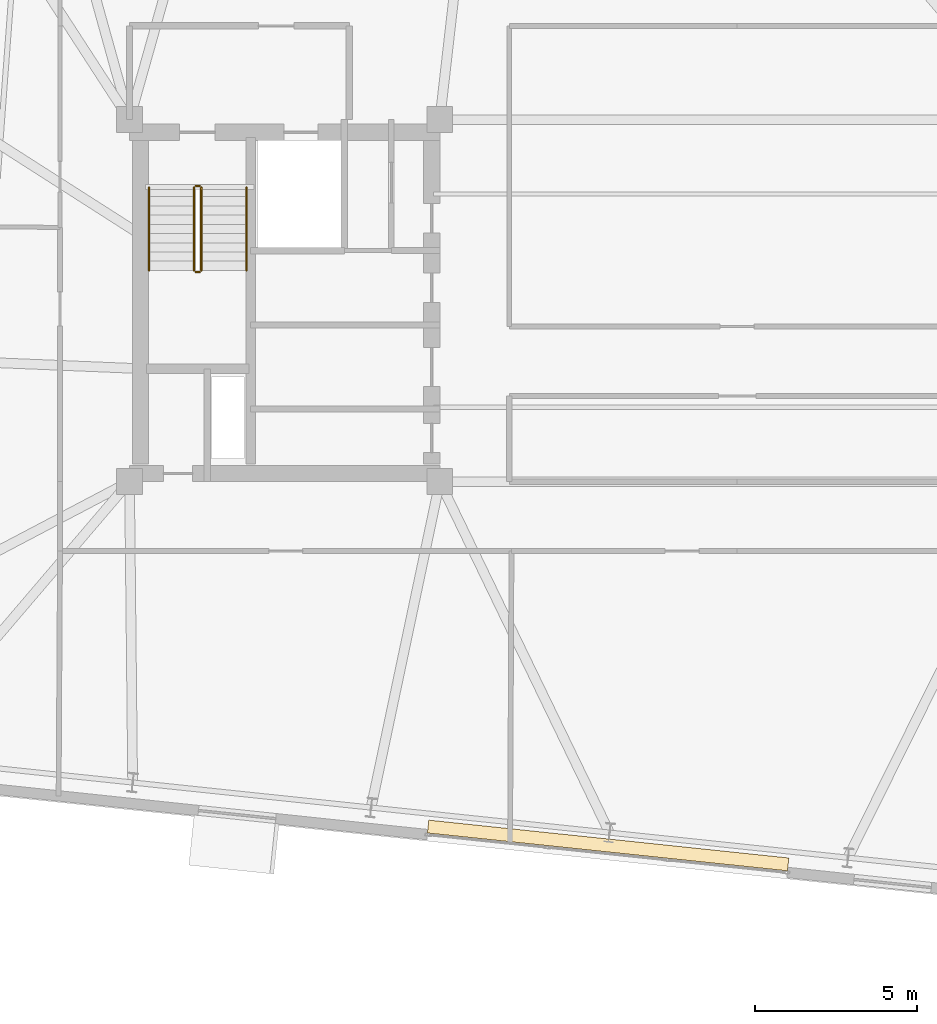
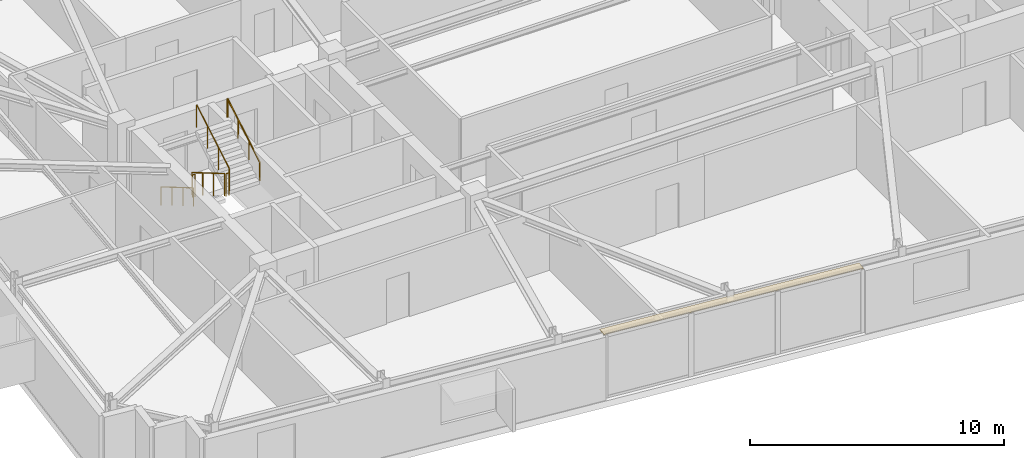
# One storey, part 12 of 13: 6 railings, 1 covering.
"""IFC4 building model written with IfcOpenShell, lengths in metres."""

from ifc_helpers import new_model, si_unit, direction, frame, origin, origin_2d, place, context, subcontext, project, spatial, polyline, circle, outline, extrude, material, layer, layer_set, type_object, element, save


model = new_model("IFC4")

# Units and contexts
model_context = context("Model", 3, precision=1e-05, world=origin(), true_north=direction((0.0, 1.0)))
body_context = subcontext(model_context, "Body", "Model", "MODEL_VIEW")
ifc_project = project(units=[si_unit("LENGTHUNIT", "METRE"), si_unit("AREAUNIT", "SQUARE_METRE"), si_unit("VOLUMEUNIT", "CUBIC_METRE"), si_unit("PLANEANGLEUNIT", "RADIAN"), si_unit("MASSUNIT", "GRAM", prefix="KILO")], contexts=[model_context])

# Site, building, storey
site_placement = place(None, origin())
site = spatial("IfcSite", under=ifc_project, at=site_placement, CompositionType="ELEMENT")
building_placement = place(site_placement, origin())
building = spatial("IfcBuilding", under=site, at=building_placement, Name="Qobustan Lattice House", CompositionType="ELEMENT")
storey_placement = place(building_placement, frame((0.0, 0.0, 196.39990234375)))
storey = spatial("IfcBuildingStorey", under=building, at=storey_placement, Name="L55", CompositionType="ELEMENT", Elevation=196.39990234375)

# Covering
ifc_material_1 = material(Name="Persian walnut timber lining", Category="wood")
ifc_layer = layer(ifc_material_1, 0.0380859375)
ifc_layer_set = layer_set([ifc_layer], Name="Persian walnut timber lining")
covering_type = type_object("IfcCoveringType", Name="COV-WALNUT-IWAN", PredefinedType="CLADDING", material=ifc_layer_set)
covering_placement = place(storey_placement, frame((0.0, 0.0, 3.002197265625)))
element("IfcCovering", 1, at=covering_placement, inside=storey, type_object=covering_type, Name="L55 IWAN-4 Persian walnut soffit cladding", PredefinedType="CLADDING", context=body_context, shape_type="SweptSolid", body=[
    extrude(outline(polyline([(1.5556640625, -17.640380859375), (-9.5830078125, -16.469482421875), (-9.541015625, -16.07177734375), (1.597412109375, -17.24267578125), (1.5556640625, -17.640380859375)])), origin(), (0.0, 0.0, 1.0), 0.037841796875),
])

# Railings
ifc_material_2 = material(Name="Brushed stainless steel handrail", Category="steel")
railing_type_1 = type_object("IfcRailingType", Name="RAL-HR-920", PredefinedType="HANDRAIL", material=ifc_material_2)
railing_1_placement = place(storey_placement, frame((-18.199951171875, 3.5, 0.16748046875)))
element("IfcRailing", 2, at=railing_1_placement, inside=storey, type_object=railing_type_1, Name="L55 ST-W1 stair handrail 1", PredefinedType="HANDRAIL", context=body_context, shape_type="SweptSolid", body=[
    extrude(circle(Radius=0.02392578125, at=origin_2d()), frame((0.0, 0.0, 0.8759765625), z_axis=(0.0, -0.862113467892, 0.50671527358), x_axis=(1.0, 0.0, 0.0)), (0.0, 0.0, 1.0), 2.97509765625),
    extrude(circle(Radius=0.02099609375, at=origin_2d()), origin(), (0.0, 0.0, 1.0), 0.851806640625),
    extrude(circle(Radius=0.02099609375, at=origin_2d()), frame((0.0, -0.85498046875, 0.50244140625)), (0.0, 0.0, 1.0), 0.851806640625),
    extrude(circle(Radius=0.02099609375, at=origin_2d()), frame((0.0, -1.7099609375, 1.005126953125)), (0.0, 0.0, 1.0), 0.851806640625),
    extrude(circle(Radius=0.02099609375, at=origin_2d()), frame((0.0, -2.56494140625, 1.507568359375)), (0.0, 0.0, 1.0), 0.851806640625),
])
railing_2_placement = place(storey_placement, frame((-15.179931640625, 0.93505859375, 1.842529296875)))
element("IfcRailing", 3, at=railing_2_placement, inside=storey, type_object=railing_type_1, Name="L55 ST-W1 stair handrail 2", PredefinedType="HANDRAIL", context=body_context, shape_type="SweptSolid", body=[
    extrude(circle(Radius=0.02392578125, at=origin_2d()), frame((0.0, 0.0, 0.8759765625), z_axis=(0.0, 0.862113467892, 0.50671527358), x_axis=(-1.0, 0.0, 0.0)), (0.0, 0.0, 1.0), 2.97509765625),
    extrude(circle(Radius=0.02099609375, at=origin_2d()), origin(), (0.0, 0.0, 1.0), 0.851806640625),
    extrude(circle(Radius=0.02099609375, at=origin_2d()), frame((0.0, 0.85498046875, 0.50244140625)), (0.0, 0.0, 1.0), 0.851806640625),
    extrude(circle(Radius=0.02099609375, at=origin_2d()), frame((0.0, 1.7099609375, 1.005126953125)), (0.0, 0.0, 1.0), 0.851806640625),
    extrude(circle(Radius=0.02099609375, at=origin_2d()), frame((0.0, 2.56494140625, 1.507568359375)), (0.0, 0.0, 1.0), 0.851806640625),
])
ifc_material_3 = material(Name="Painted galvanized steel guardrail", Category="steel")
railing_type_2 = type_object("IfcRailingType", Name="RAL-STG-1150", PredefinedType="GUARDRAIL", material=ifc_material_3)
railing_3_placement = place(storey_placement, frame((-16.800048828125, 3.5, 0.16748046875)))
element("IfcRailing", 4, at=railing_3_placement, inside=storey, type_object=railing_type_2, Name="L55 ST-W1 stair guard 1", PredefinedType="GUARDRAIL", context=body_context, shape_type="SweptSolid", body=[
    extrude(circle(Radius=0.02392578125, at=origin_2d()), frame((0.0, 0.0, 1.076171875), z_axis=(0.0, -0.862113467892, 0.50671527358), x_axis=(1.0, 0.0, 0.0)), (0.0, 0.0, 1.0), 2.97509765625),
    extrude(circle(Radius=0.02099609375, at=origin_2d()), origin(), (0.0, 0.0, 1.0), 1.052001953125),
    extrude(circle(Radius=0.02099609375, at=origin_2d()), frame((0.0, -0.85498046875, 0.50244140625)), (0.0, 0.0, 1.0), 1.052001953125),
    extrude(circle(Radius=0.02099609375, at=origin_2d()), frame((0.0, -1.7099609375, 1.005126953125)), (0.0, 0.0, 1.0), 1.052001953125),
    extrude(circle(Radius=0.02099609375, at=origin_2d()), frame((0.0, -2.56494140625, 1.507568359375)), (0.0, 0.0, 1.0), 1.052001953125),
])
railing_4_placement = place(storey_placement, frame((-16.75, 0.885009765625, 1.675048828125)))
element("IfcRailing", 5, at=railing_4_placement, inside=storey, type_object=railing_type_2, Name="L55 ST-W1 stair guard 2", PredefinedType="GUARDRAIL", context=body_context, shape_type="SweptSolid", body=[
    extrude(circle(Radius=0.02392578125, at=origin_2d()), frame((0.0, 0.0, 1.076171875), z_axis=(1.0, 0.0, 0.0), x_axis=(0.0, 1.0, 0.0)), (0.0, 0.0, 1.0), 0.1201171875),
    extrude(circle(Radius=0.02099609375, at=origin_2d()), origin(), (0.0, 0.0, 1.0), 1.052001953125),
    extrude(circle(Radius=0.02099609375, at=origin_2d()), frame((0.1201171875, 0.0, 0.0)), (0.0, 0.0, 1.0), 1.052001953125),
])
railing_5_placement = place(storey_placement, frame((-16.580078125, 0.93505859375, 1.842529296875)))
element("IfcRailing", 6, at=railing_5_placement, inside=storey, type_object=railing_type_2, Name="L55 ST-W1 stair guard 3", PredefinedType="GUARDRAIL", context=body_context, shape_type="SweptSolid", body=[
    extrude(circle(Radius=0.02392578125, at=origin_2d()), frame((0.0, 0.0, 1.076171875), z_axis=(0.0, 0.862113467892, 0.50671527358), x_axis=(-1.0, 0.0, 0.0)), (0.0, 0.0, 1.0), 2.97509765625),
    extrude(circle(Radius=0.02099609375, at=origin_2d()), origin(), (0.0, 0.0, 1.0), 1.052001953125),
    extrude(circle(Radius=0.02099609375, at=origin_2d()), frame((0.0, 0.85498046875, 0.50244140625)), (0.0, 0.0, 1.0), 1.052001953125),
    extrude(circle(Radius=0.02099609375, at=origin_2d()), frame((0.0, 1.7099609375, 1.005126953125)), (0.0, 0.0, 1.0), 1.052001953125),
    extrude(circle(Radius=0.02099609375, at=origin_2d()), frame((0.0, 2.56494140625, 1.507568359375)), (0.0, 0.0, 1.0), 1.052001953125),
])
railing_6_placement = place(storey_placement, frame((-16.75, 3.550048828125, 0.0)))
element("IfcRailing", 7, at=railing_6_placement, inside=storey, type_object=railing_type_2, Name="L55 ST-W1 stair guard 4", PredefinedType="GUARDRAIL", context=body_context, shape_type="SweptSolid", body=[
    extrude(circle(Radius=0.02392578125, at=origin_2d()), frame((0.0, 0.0, 1.076171875), z_axis=(1.0, 0.0, 0.0), x_axis=(0.0, 1.0, 0.0)), (0.0, 0.0, 1.0), 0.1201171875),
    extrude(circle(Radius=0.02099609375, at=origin_2d()), origin(), (0.0, 0.0, 1.0), 1.052001953125),
    extrude(circle(Radius=0.02099609375, at=origin_2d()), frame((0.1201171875, 0.0, 0.0)), (0.0, 0.0, 1.0), 1.052001953125),
])

save(model, "model.ifc")
